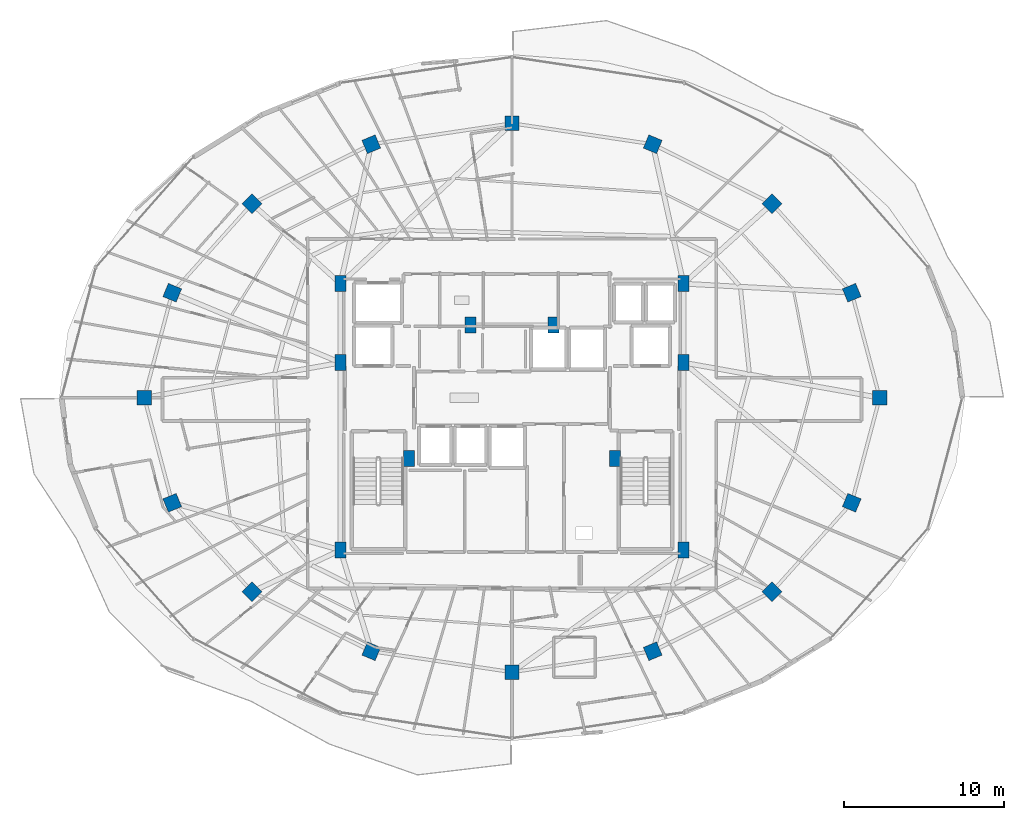
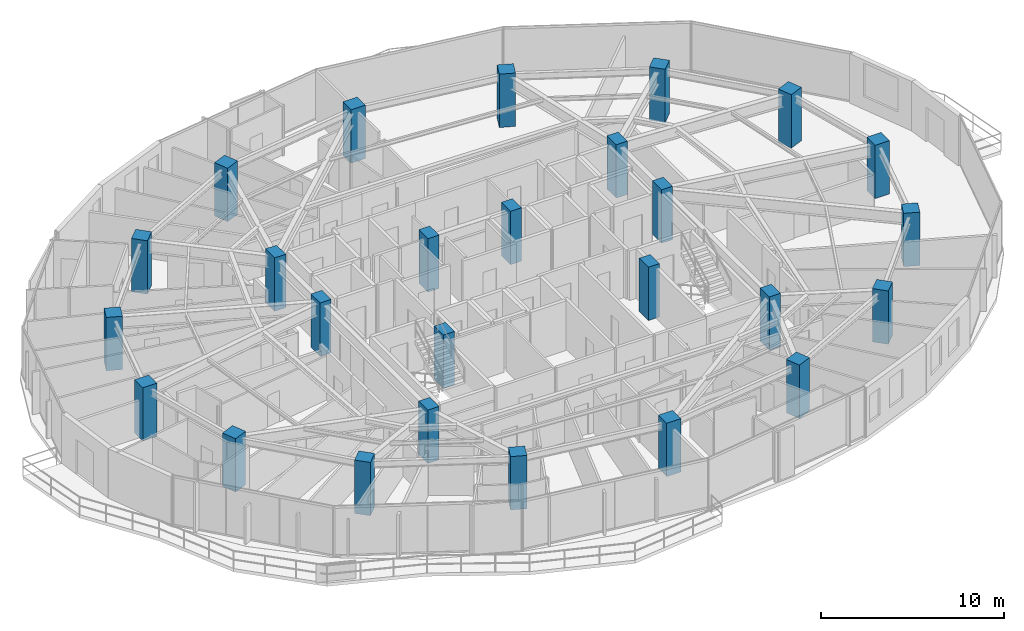
# One storey, part 1 of 33: 26 columns.
"""IFC4 building model written with IfcOpenShell, lengths in metres."""

from ifc_helpers import new_model, si_unit, direction, frame, origin, origin_2d, place, context, subcontext, project, spatial, rectangle, extrude, material, material_profile, profile_set, type_object, element, save


model = new_model("IFC4")

# Units and contexts
model_context = context("Model", 3, precision=1e-05, world=origin(), true_north=direction((0.0, 1.0)))
body_context = subcontext(model_context, "Body", "Model", "MODEL_VIEW")
ifc_project = project(units=[si_unit("LENGTHUNIT", "METRE"), si_unit("AREAUNIT", "SQUARE_METRE"), si_unit("VOLUMEUNIT", "CUBIC_METRE"), si_unit("PLANEANGLEUNIT", "RADIAN"), si_unit("MASSUNIT", "GRAM", prefix="KILO")], contexts=[model_context])

# Site, building, storey
site_placement = place(None, origin())
site = spatial("IfcSite", under=ifc_project, at=site_placement, CompositionType="ELEMENT")
building_placement = place(site_placement, origin())
building = spatial("IfcBuilding", under=site, at=building_placement, Name="Vorneva Point Tower", CompositionType="ELEMENT")
storey_placement = place(building_placement, frame((0.0, 0.0, 203.64990234375)))
storey = spatial("IfcBuildingStorey", under=building, at=storey_placement, Name="L55", CompositionType="ELEMENT", Elevation=203.64990234375)

# Columns
ifc_material = material(Name="Concrete B50 (C40/50)", Category="concrete")
ifc_material_profile_1 = material_profile(ifc_material, rectangle(XDim=0.89990234375, YDim=0.89990234375, at=origin_2d()), Name="RC-COL 900x900")
ifc_profile_set_1 = profile_set([ifc_material_profile_1], Name="Concrete B50 (C40/50)")
column_type_1 = type_object("IfcColumnType", Name="COL-RC900", PredefinedType="COLUMN", material=ifc_profile_set_1)
for number, where, z_axis, x_axis, name in (
    (1, (61.050048828125, 26.0, 0.0), (0.0, 0.0, 1.0), (1.0, 0.0, 0.0), "L55 Perimeter Column P01"),
    (2, (59.29541015625, 32.582275390625, 0.0), (0.0, 0.0, 1.0), (0.923879532511, 0.382683432365, 0.0), "L55 Perimeter Column P02"),
    (3, (54.298828125, 38.162109375, 0.0), (0.0, 0.0, 1.0), (0.707106781187, 0.707106781187, 0.0), "L55 Perimeter Column P03"),
    (4, (46.82080078125, 41.890625, 0.0), (0.0, 0.0, 1.0), (0.382683432365, 0.923879532511, 0.0), "L55 Perimeter Column P04"),
    (5, (38.0, 43.199951171875, 0.0), (0.0, 0.0, 1.0), (0.0, 1.0, 0.0), "L55 Perimeter Column P05"),
    (6, (29.17919921875, 41.890625, 0.0), (0.0, 0.0, 1.0), (-0.382683432365, 0.923879532511, 0.0), "L55 Perimeter Column P06"),
    (7, (21.701171875, 38.162109375, 0.0), (0.0, 0.0, 1.0), (-0.707106781187, 0.707106781187, 0.0), "L55 Perimeter Column P07"),
    (8, (16.70458984375, 32.582275390625, 0.0), (0.0, 0.0, 1.0), (-0.923879532511, 0.382683432365, 0.0), "L55 Perimeter Column P08"),
    (9, (14.949951171875, 26.0, 0.0), (0.0, 0.0, 1.0), (-1.0, 0.0, 0.0), "L55 Perimeter Column P09"),
    (10, (16.70458984375, 19.417724609375, 0.0), (0.0, 0.0, 1.0), (-0.923879532511, -0.382683432365, 0.0), "L55 Perimeter Column P10"),
    (11, (21.701171875, 13.837890625, 0.0), (0.0, 0.0, 1.0), (-0.707106781187, -0.707106781187, 0.0), "L55 Perimeter Column P11"),
    (12, (29.17919921875, 10.109375, 0.0), (0.0, 0.0, 1.0), (-0.382683432365, -0.923879532511, 0.0), "L55 Perimeter Column P12"),
    (13, (38.0, 8.800048828125, 0.0), (0.0, 0.0, 1.0), (0.0, -1.0, 0.0), "L55 Perimeter Column P13"),
    (14, (46.82080078125, 10.109375, 0.0), (0.0, 0.0, 1.0), (0.382683432365, -0.923879532511, 0.0), "L55 Perimeter Column P14"),
    (15, (54.298828125, 13.837890625, 0.0), (0.0, 0.0, 1.0), (0.707106781187, -0.707106781187, 0.0), "L55 Perimeter Column P15"),
    (16, (59.29541015625, 19.417724609375, 0.0), (0.0, 0.0, 1.0), (0.923879532511, -0.382683432365, 0.0), "L55 Perimeter Column P16"),
):
    element("IfcColumn", number, at=place(storey_placement, frame(where, z_axis=z_axis, x_axis=x_axis)), inside=storey, type_object=column_type_1, Name=name, PredefinedType="COLUMN", context=body_context, shape_type="SweptSolid", body=[
        extrude(rectangle(XDim=0.89990234375, YDim=0.89990234375, at=origin_2d()), origin(), (0.0, 0.0, 1.0), 3.550048828125),
    ])
ifc_material_profile_2 = material_profile(ifc_material, rectangle(XDim=0.699951171875, YDim=1.0, at=origin_2d()), Name="RC-PIL 1000x700")
ifc_profile_set_2 = profile_set([ifc_material_profile_2], Name="Concrete B50 (C40/50)")
column_type_2 = type_object("IfcColumnType", Name="PIL-RC1000x700", PredefinedType="PILASTER", material=ifc_profile_set_2)
for number, where, z_axis, x_axis, name in (
    (17, (27.25, 16.449951171875, 0.0), (0.0, 0.0, 1.0), (1.0, 0.0, 0.0), "L55 Core Pilaster CP1"),
    (18, (27.25, 28.199951171875, 0.0), (0.0, 0.0, 1.0), (1.0, 0.0, 0.0), "L55 Core Pilaster CP2"),
    (19, (27.25, 33.14990234375, 0.0), (0.0, 0.0, 1.0), (1.0, 0.0, 0.0), "L55 Core Pilaster CP3"),
    (20, (31.550048828125, 22.199951171875, 0.0), (0.0, 0.0, 1.0), (1.0, 0.0, 0.0), "L55 Core Pilaster CP4"),
    (21, (48.75, 33.14990234375, 0.0), (0.0, 0.0, 1.0), (1.0, 0.0, 0.0), "L55 Core Pilaster CP5"),
    (22, (48.75, 28.199951171875, 0.0), (0.0, 0.0, 1.0), (1.0, 0.0, 0.0), "L55 Core Pilaster CP6"),
    (23, (48.75, 16.449951171875, 0.0), (0.0, 0.0, 1.0), (1.0, 0.0, 0.0), "L55 Core Pilaster CP7"),
    (24, (44.449951171875, 22.199951171875, 0.0), (0.0, 0.0, 1.0), (1.0, 0.0, 0.0), "L55 Core Pilaster CP8"),
    (25, (35.39990234375, 30.550048828125, 0.0), (0.0, 0.0, 1.0), (1.0, 0.0, 0.0), "L55 Core Pilaster CP9"),
    (26, (40.60009765625, 30.550048828125, 0.0), (0.0, 0.0, 1.0), (1.0, 0.0, 0.0), "L55 Core Pilaster CP10"),
):
    element("IfcColumn", number, at=place(storey_placement, frame(where, z_axis=z_axis, x_axis=x_axis)), inside=storey, type_object=column_type_2, Name=name, PredefinedType="PILASTER", context=body_context, shape_type="SweptSolid", body=[
        extrude(rectangle(XDim=0.699951171875, YDim=1.0, at=origin_2d()), origin(), (0.0, 0.0, 1.0), 3.550048828125),
    ])

save(model, "model.ifc")
